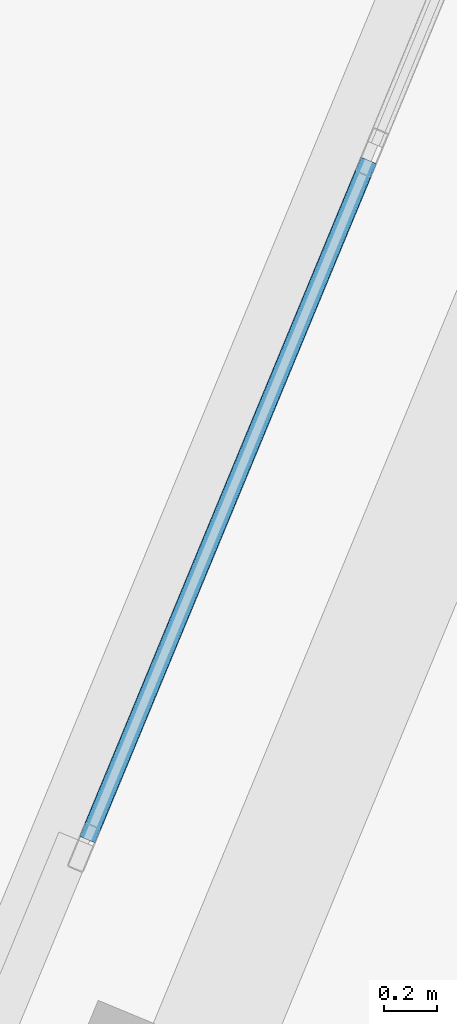
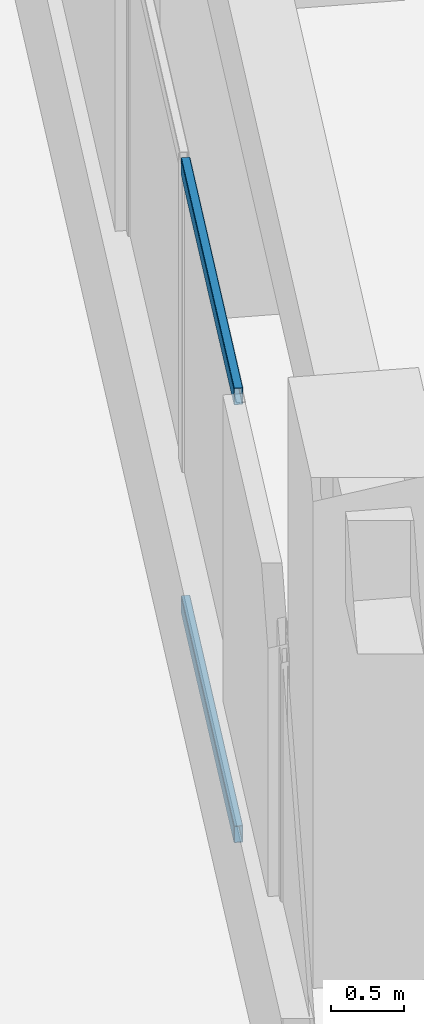
# One storey, part 6 of 24: 2 members, 1 element without a shape of its own.
"""IFC4 building model written with IfcOpenShell, lengths in metres."""

from ifc_helpers import new_model, si_unit, direction, frame, origin, origin_2d, place, context, subcontext, project, spatial, hollow_rectangle, extrude, source, transform, mapped, material, material_profile, profile_set, type_object, element, aggregate, save


model = new_model("IFC4")

# Units and contexts
model_context = context("Model", 3, precision=1e-05, world=origin(), true_north=direction((0.0, 1.0)))
body_context = subcontext(model_context, "Body", "Model", "MODEL_VIEW")
ifc_project = project(units=[si_unit("LENGTHUNIT", "METRE"), si_unit("AREAUNIT", "SQUARE_METRE"), si_unit("VOLUMEUNIT", "CUBIC_METRE"), si_unit("PLANEANGLEUNIT", "RADIAN"), si_unit("MASSUNIT", "GRAM", prefix="KILO")], contexts=[model_context])

# Site, building, storey
site_placement = place(None, origin())
site = spatial("IfcSite", under=ifc_project, at=site_placement, CompositionType="ELEMENT")
building_placement = place(site_placement, origin())
building = spatial("IfcBuilding", under=site, at=building_placement, Name="Torre Montelarca", CompositionType="ELEMENT")
storey_placement = place(building_placement, frame((0.0, 0.0, 141.39990234375)))
storey = spatial("IfcBuildingStorey", under=building, at=storey_placement, Name="L31", CompositionType="ELEMENT", Elevation=141.39990234375)

# Curtain wall, members
ifc_material_1 = material(Name="Insulated low-E laminated glass", Category="glass")
curtain_wall_type = type_object("IfcCurtainWallType", Name="CW-SYS-Z2", PredefinedType="USERDEFINED", material=ifc_material_1)
curtain_wall_placement = place(storey_placement, origin())
curtain_wall = element("IfcCurtainWall", 1, at=curtain_wall_placement, inside=storey, type_object=curtain_wall_type, Name="L31 Curtain Wall Run CW-T3-L31-E10-B1", ObjectType="UNITISED GLAZING", PredefinedType="USERDEFINED")
ifc_material_2 = material(Name="Anodised aluminium AA 6063-T6", Category="aluminium")
ifc_material_profile = material_profile(ifc_material_2, hollow_rectangle(XDim=0.06494140625, YDim=0.139892578125, WallThickness=0.00390625, InnerFilletRadius=0.00390625, OuterFilletRadius=0.008056640625, at=origin_2d()), Name="ALU65X140X4", Category="aluminium")
ifc_profile_set = profile_set([ifc_material_profile], Name="Anodised aluminium AA 6063-T6")
member_type = type_object("IfcMemberType", Name="CWT-ALU140", PredefinedType="USERDEFINED", material=ifc_profile_set)
shared_shape = source(origin(), body_context, "Body", "SweptSolid", [
    extrude(hollow_rectangle(XDim=0.06494140625, YDim=0.139892578125, WallThickness=0.00390625, InnerFilletRadius=0.00390625, OuterFilletRadius=0.008056640625, at=origin_2d()), origin(), (0.0, 0.0, 1.0), 2.7724609375),
])
member_1_placement = place(storey_placement, frame((6.78564453125, 42.38916015625, 0.03271484375), z_axis=(-0.382613628108, -0.923908443292, 0.0), x_axis=(0.923908443292, -0.382613628108, 0.0)))
member_1 = element("IfcMember", 2, at=member_1_placement, type_object=member_type, Name="CW transom 2.1", ObjectType="TRANSOM", PredefinedType="USERDEFINED", context=body_context, shape_type="MappedRepresentation", body=[
    mapped(shared_shape, transform((0.0, 0.0, 0.0), scale=1.0)),
])
member_2_placement = place(storey_placement, frame((6.78564453125, 42.38916015625, 3.6875), z_axis=(-0.382613628108, -0.923908443292, 0.0), x_axis=(0.923908443292, -0.382613628108, 0.0)))
member_2 = element("IfcMember", 3, at=member_2_placement, type_object=member_type, Name="CW transom 2.2", ObjectType="TRANSOM", PredefinedType="USERDEFINED", context=body_context, shape_type="MappedRepresentation", body=[
    mapped(shared_shape, transform((0.0, 0.0, 0.0), scale=1.0)),
])
aggregate(curtain_wall, [member_1, member_2])

save(model, "model.ifc")
